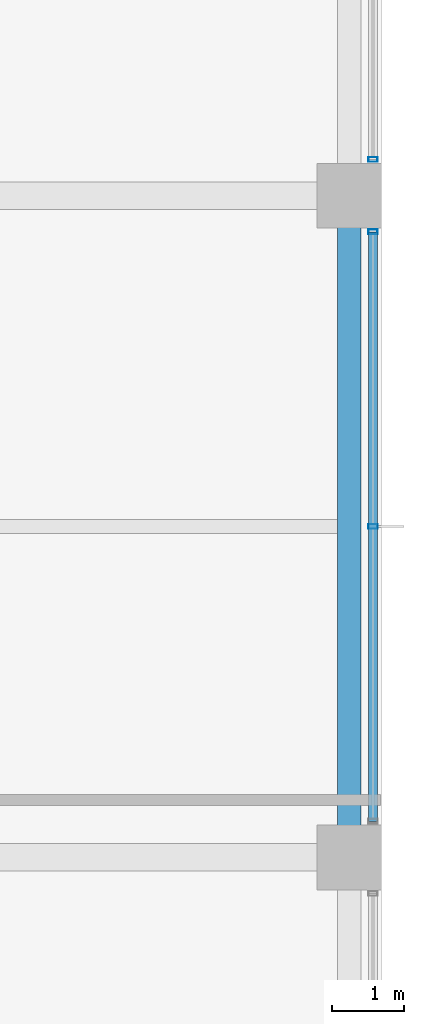
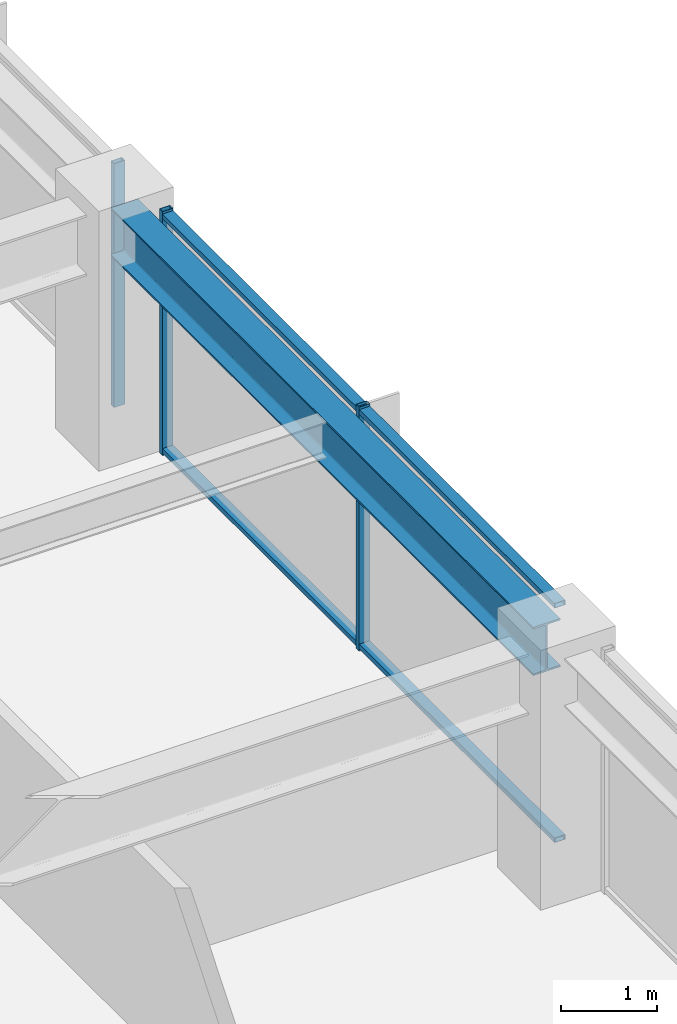
# One storey, part 14 of 31: 5 members, 1 beam, 2 elements without a shape of their own.
"""IFC4 building model written with IfcOpenShell, lengths in metres."""

from ifc_helpers import new_model, si_unit, direction, frame, origin, origin_2d, place, context, subcontext, project, spatial, hollow_rectangle, i_section, extrude, material, material_profile, profile_set, type_object, element, aggregate, save


model = new_model("IFC4")

# Units and contexts
model_context = context("Model", 3, precision=1e-05, world=origin(), true_north=direction((0.0, 1.0)))
body_context = subcontext(model_context, "Body", "Model", "MODEL_VIEW")
ifc_project = project(units=[si_unit("LENGTHUNIT", "METRE"), si_unit("AREAUNIT", "SQUARE_METRE"), si_unit("VOLUMEUNIT", "CUBIC_METRE"), si_unit("PLANEANGLEUNIT", "RADIAN"), si_unit("MASSUNIT", "GRAM", prefix="KILO")], contexts=[model_context])

# Site, building, storey
site_placement = place(None, origin())
site = spatial("IfcSite", under=ifc_project, at=site_placement, CompositionType="ELEMENT")
building_placement = place(site_placement, origin())
building = spatial("IfcBuilding", under=site, at=building_placement, Name="Kolvaren Belvedere", CompositionType="ELEMENT")
storey_placement = place(building_placement, frame((0.0, 0.0, 134.89990234375)))
storey = spatial("IfcBuildingStorey", under=building, at=storey_placement, Name="L39", CompositionType="ELEMENT", Elevation=134.89990234375)

# Beam
ifc_material_1 = material(Name="Structural steel ASTM A992 Grade 50", Category="steel")
ifc_material_profile_1 = material_profile(ifc_material_1, i_section(OverallWidth=0.324951171875, OverallDepth=0.615966796875, WebThickness=0.013916015625, FlangeThickness=0.021484375, FilletRadius=0.02001953125, at=origin_2d()), Name="W24X117")
ifc_profile_set_1 = profile_set([ifc_material_profile_1], Name="Structural steel ASTM A992 Grade 50")
beam_type = type_object("IfcBeamType", Name="BM-SPAN-W24X117", PredefinedType="SPANDREL", material=ifc_profile_set_1)
beam_placement = place(storey_placement, frame((17.550048828125, -4.3974609375, 2.7919921875), z_axis=(0.0, 1.0, 0.0), x_axis=(-1.0, 0.0, 0.0)))
element("IfcBeam", 1, at=beam_placement, inside=storey, type_object=beam_type, Name="L39 Perimeter Spandrel E2-E3", PredefinedType="SPANDREL", context=body_context, shape_type="SweptSolid", body=[
    extrude(i_section(OverallWidth=0.324951171875, OverallDepth=0.615966796875, WebThickness=0.013916015625, FlangeThickness=0.021484375, FilletRadius=0.02001953125, at=origin_2d()), origin(), (0.0, 0.0, 1.0), 8.794921875),
])

# Curtain wall, member
ifc_material_2 = material(Name="Anodised pale-metal aluminium AA 6063-T6", Category="aluminium")
curtain_wall_type = type_object("IfcCurtainWallType", Name="CW-Z3-WAIST", PredefinedType="NOTDEFINED", material=ifc_material_2)
curtain_wall_1_placement = place(storey_placement, origin())
curtain_wall_1 = element("IfcCurtainWall", 2, at=curtain_wall_1_placement, inside=storey, type_object=curtain_wall_type, Name="L39 Unitised Curtain Wall FCW-L39-E-B1", PredefinedType="NOTDEFINED")
ifc_material_3 = material(Name="Anodised pale-metal aluminium AA 6063-T6", Category="aluminium")
ifc_material_profile_2 = material_profile(ifc_material_3, hollow_rectangle(XDim=0.06494140625, YDim=0.1298828125, WallThickness=0.00390625, at=origin_2d()), Name="ALU-MUL-130X65")
ifc_profile_set_2 = profile_set([ifc_material_profile_2], Name="Anodised pale-metal aluminium AA 6063-T6")
member_type_1 = type_object("IfcMemberType", Name="CW-MUL-130", PredefinedType="MULLION", material=ifc_profile_set_2)
member_1_placement = place(storey_placement, frame((17.8798828125, 5.1025390625, 0.0), z_axis=(0.0, 0.0, 1.0), x_axis=(0.0, 1.0, 0.0)))
member_1 = element("IfcMember", 3, at=member_1_placement, type_object=member_type_1, Name="FCW-L39-E-B1 Unitised Mullion 3", PredefinedType="MULLION", context=body_context, shape_type="SweptSolid", body=[
    extrude(hollow_rectangle(XDim=0.06494140625, YDim=0.1298828125, WallThickness=0.00390625, at=origin_2d()), origin(), (0.0, 0.0, 1.0), 3.10009765625),
])
aggregate(curtain_wall_1, [member_1])

# Curtain wall, members
curtain_wall_2_placement = place(storey_placement, origin())
curtain_wall_2 = element("IfcCurtainWall", 4, at=curtain_wall_2_placement, inside=storey, type_object=curtain_wall_type, Name="L39 Unitised Curtain Wall FCW-L39-E-B2", PredefinedType="NOTDEFINED")
member_2_placement = place(storey_placement, frame((17.8798828125, 4.097412109375, 0.0), z_axis=(0.0, 0.0, 1.0), x_axis=(0.0, 1.0, 0.0)))
member_2 = element("IfcMember", 5, at=member_2_placement, type_object=member_type_1, Name="FCW-L39-E-B2 Unitised Mullion 1", PredefinedType="MULLION", context=body_context, shape_type="SweptSolid", body=[
    extrude(hollow_rectangle(XDim=0.06494140625, YDim=0.1298828125, WallThickness=0.00390625, at=origin_2d()), origin(), (0.0, 0.0, 1.0), 3.10009765625),
])
member_3_placement = place(storey_placement, frame((17.8798828125, 0.0, 0.0), z_axis=(0.0, 0.0, 1.0), x_axis=(0.0, 1.0, 0.0)))
member_3 = element("IfcMember", 6, at=member_3_placement, type_object=member_type_1, Name="FCW-L39-E-B2 Unitised Mullion 2", PredefinedType="MULLION", context=body_context, shape_type="SweptSolid", body=[
    extrude(hollow_rectangle(XDim=0.06494140625, YDim=0.1298828125, WallThickness=0.00390625, at=origin_2d()), origin(), (0.0, 0.0, 1.0), 3.10009765625),
])
ifc_material_4 = material(Name="Anodised pale-metal aluminium AA 6063-T6", Category="aluminium")
ifc_material_profile_3 = material_profile(ifc_material_4, hollow_rectangle(XDim=0.06005859375, YDim=0.1298828125, WallThickness=0.00390625, at=origin_2d()), Name="ALU-TRN-130X60")
ifc_profile_set_3 = profile_set([ifc_material_profile_3], Name="Anodised pale-metal aluminium AA 6063-T6")
member_type_2 = type_object("IfcMemberType", Name="CW-TRN-130", PredefinedType="USERDEFINED", material=ifc_profile_set_3)
member_4_placement = place(storey_placement, frame((17.8798828125, 4.097412109375, 0.06005859375), z_axis=(0.0, -1.0, 0.0), x_axis=(0.0, 0.0, 1.0)))
member_4 = element("IfcMember", 7, at=member_4_placement, type_object=member_type_2, Name="FCW-L39-E-B2 Sill Transom", ObjectType="TRANSOM", PredefinedType="USERDEFINED", context=body_context, shape_type="SweptSolid", body=[
    extrude(hollow_rectangle(XDim=0.06005859375, YDim=0.1298828125, WallThickness=0.00390625, at=origin_2d()), origin(), (0.0, 0.0, 1.0), 8.19482421875),
])
member_5_placement = place(storey_placement, frame((17.8798828125, 4.097412109375, 3.0400390625), z_axis=(0.0, -1.0, 0.0), x_axis=(0.0, 0.0, 1.0)))
member_5 = element("IfcMember", 8, at=member_5_placement, type_object=member_type_2, Name="FCW-L39-E-B2 Head Transom", ObjectType="TRANSOM", PredefinedType="USERDEFINED", context=body_context, shape_type="SweptSolid", body=[
    extrude(hollow_rectangle(XDim=0.06005859375, YDim=0.1298828125, WallThickness=0.00390625, at=origin_2d()), origin(), (0.0, 0.0, 1.0), 8.19482421875),
])
aggregate(curtain_wall_2, [member_2, member_3, member_4, member_5])

save(model, "model.ifc")
